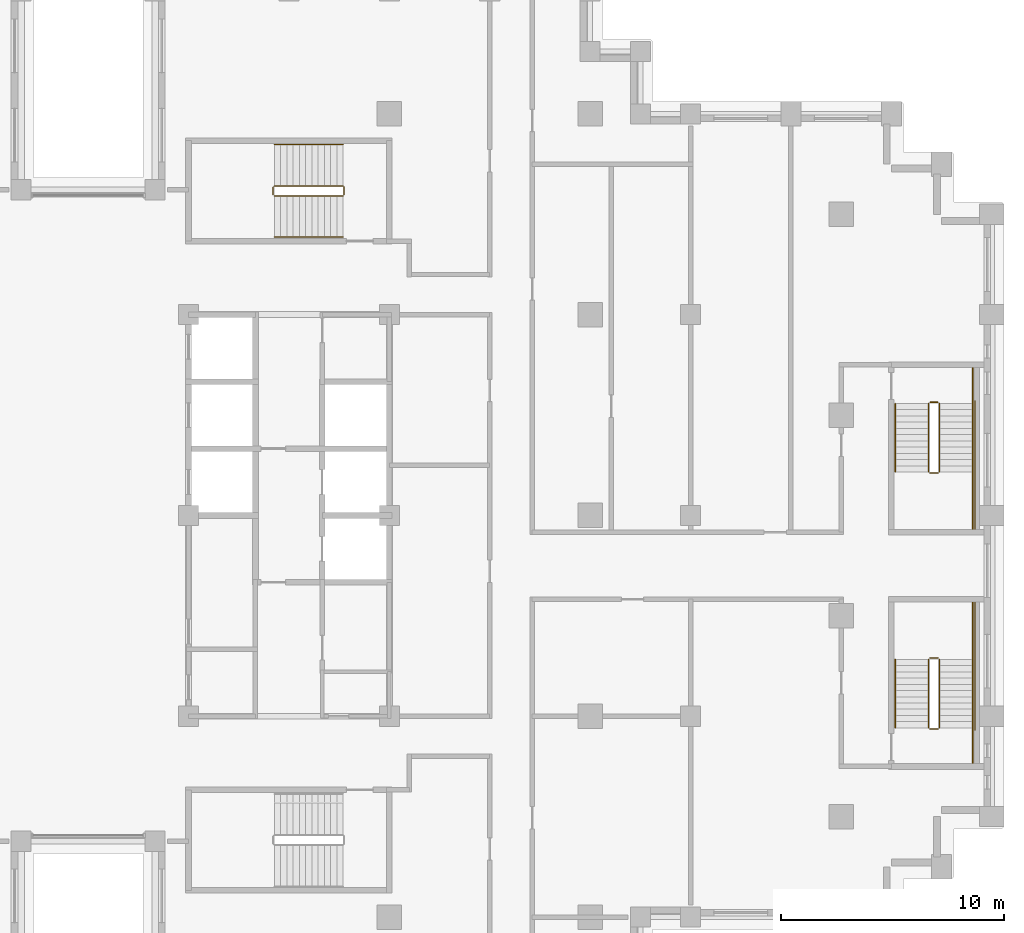
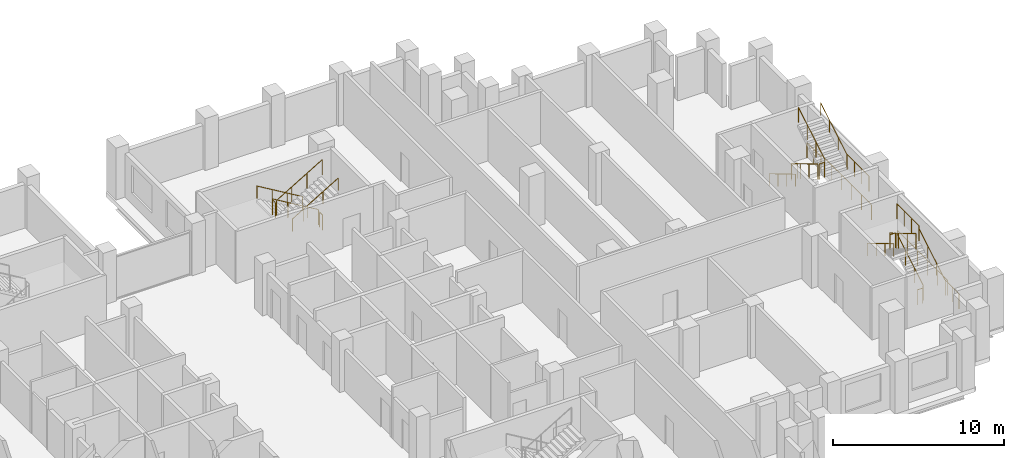
# One storey, part 16 of 16: 3 railings.
"""IFC4 building model written with IfcOpenShell, lengths in metres."""

from ifc_helpers import new_model, si_unit, direction, frame, origin, origin_2d, place, context, subcontext, project, spatial, circle, extrude, material, type_object, element, save


model = new_model("IFC4")

# Units and contexts
model_context = context("Model", 3, precision=1e-05, world=origin(), true_north=direction((0.0, 1.0)))
body_context = subcontext(model_context, "Body", "Model", "MODEL_VIEW")
ifc_project = project(units=[si_unit("LENGTHUNIT", "METRE"), si_unit("AREAUNIT", "SQUARE_METRE"), si_unit("VOLUMEUNIT", "CUBIC_METRE"), si_unit("PLANEANGLEUNIT", "RADIAN"), si_unit("MASSUNIT", "GRAM", prefix="KILO")], contexts=[model_context])

# Site, building, storey
site_placement = place(None, origin())
site = spatial("IfcSite", under=ifc_project, at=site_placement, CompositionType="ELEMENT")
building_placement = place(site_placement, origin())
building = spatial("IfcBuilding", under=site, at=building_placement, Name="Corbelhall Arena Tower", CompositionType="ELEMENT")
storey_placement = place(building_placement, frame((0.0, 0.0, 150.0)))
storey = spatial("IfcBuildingStorey", under=building, at=storey_placement, Name="L29", CompositionType="ELEMENT", Elevation=150.0)

# Railings
ifc_material = material(Name="Steel ASTM A500 Gr C", Category="steel")
railing_type = type_object("IfcRailingType", Name="IN-GD-1100", PredefinedType="GUARDRAIL", material=ifc_material)
railing_1_placement = place(storey_placement, frame((11.425048828125, 14.77490234375, 0.166748046875)))
element("IfcRailing", 1, at=railing_1_placement, inside=storey, type_object=railing_type, Name="L29 ST3 stair guards and handrails", PredefinedType="GUARDRAIL", context=body_context, shape_type="SweptSolid", body=[
    extrude(circle(Radius=0.02392578125, at=origin_2d()), frame((0.0, 0.0, 1.076171875), z_axis=(-0.859308565015, 0.0, 0.511457515432), x_axis=(0.0, -1.0, 0.0)), (0.0, 0.0, 1.0), 3.58447265625),
    extrude(circle(Radius=0.02392578125, at=origin_2d()), frame((-3.130126953125, -0.0498046875, 2.9091796875), z_axis=(0.0, -1.0, 0.0), x_axis=(1.0, 0.0, 0.0)), (0.0, 0.0, 1.0), 0.35009765625),
    extrude(circle(Radius=0.02392578125, at=origin_2d()), frame((-3.080078125, -0.449951171875, 3.076171875), z_axis=(0.859308565015, 0.0, 0.511457515432), x_axis=(0.0, 1.0, 0.0)), (0.0, 0.0, 1.0), 3.58447265625),
    extrude(circle(Radius=0.02392578125, at=origin_2d()), frame((0.050048828125, -0.0498046875, 0.9091796875), z_axis=(0.0, -1.0, 0.0), x_axis=(1.0, 0.0, 0.0)), (0.0, 0.0, 1.0), 0.35009765625),
    extrude(circle(Radius=0.02392578125, at=origin_2d()), frame((0.0, 1.85009765625, 0.8759765625), z_axis=(-0.859308565015, 0.0, 0.511457515432), x_axis=(0.0, -1.0, 0.0)), (0.0, 0.0, 1.0), 3.58447265625),
    extrude(circle(Radius=0.02392578125, at=origin_2d()), frame((-3.080078125, -2.2998046875, 2.8759765625), z_axis=(0.859308565015, 0.0, 0.511457515432), x_axis=(0.0, 1.0, 0.0)), (0.0, 0.0, 1.0), 3.58447265625),
    extrude(circle(Radius=0.02099609375, at=origin_2d()), origin(), (0.0, 0.0, 1.0), 1.052001953125),
    extrude(circle(Radius=0.02099609375, at=origin_2d()), frame((-1.026611328125, 0.0, 0.611083984375)), (0.0, 0.0, 1.0), 1.052001953125),
    extrude(circle(Radius=0.02099609375, at=origin_2d()), frame((-2.053466796875, 0.0, 1.22216796875)), (0.0, 0.0, 1.0), 1.052001953125),
    extrude(circle(Radius=0.02099609375, at=origin_2d()), frame((-3.080078125, 0.0, 1.833251953125)), (0.0, 0.0, 1.0), 1.052001953125),
    extrude(circle(Radius=0.02099609375, at=origin_2d()), frame((-3.130126953125, -0.0498046875, 1.833251953125)), (0.0, 0.0, 1.0), 1.052001953125),
    extrude(circle(Radius=0.02099609375, at=origin_2d()), frame((-3.130126953125, -0.39990234375, 1.833251953125)), (0.0, 0.0, 1.0), 1.052001953125),
    extrude(circle(Radius=0.02099609375, at=origin_2d()), frame((-3.080078125, -0.449951171875, 2.0)), (0.0, 0.0, 1.0), 1.052001953125),
    extrude(circle(Radius=0.02099609375, at=origin_2d()), frame((-2.053466796875, -0.449951171875, 2.611083984375)), (0.0, 0.0, 1.0), 1.052001953125),
    extrude(circle(Radius=0.02099609375, at=origin_2d()), frame((-1.026611328125, -0.449951171875, 3.22216796875)), (0.0, 0.0, 1.0), 1.052001953125),
    extrude(circle(Radius=0.02099609375, at=origin_2d()), frame((0.0, -0.449951171875, 3.833251953125)), (0.0, 0.0, 1.0), 1.052001953125),
    extrude(circle(Radius=0.02099609375, at=origin_2d()), frame((0.050048828125, -0.0498046875, -0.166748046875)), (0.0, 0.0, 1.0), 1.052001953125),
    extrude(circle(Radius=0.02099609375, at=origin_2d()), frame((0.050048828125, -0.39990234375, -0.166748046875)), (0.0, 0.0, 1.0), 1.052001953125),
    extrude(circle(Radius=0.02099609375, at=origin_2d()), frame((0.0, 1.85009765625, 0.0)), (0.0, 0.0, 1.0), 0.851806640625),
    extrude(circle(Radius=0.02099609375, at=origin_2d()), frame((-1.026611328125, 1.85009765625, 0.611083984375)), (0.0, 0.0, 1.0), 0.851806640625),
    extrude(circle(Radius=0.02099609375, at=origin_2d()), frame((-2.053466796875, 1.85009765625, 1.22216796875)), (0.0, 0.0, 1.0), 0.851806640625),
    extrude(circle(Radius=0.02099609375, at=origin_2d()), frame((-3.080078125, 1.85009765625, 1.833251953125)), (0.0, 0.0, 1.0), 0.851806640625),
    extrude(circle(Radius=0.02099609375, at=origin_2d()), frame((-3.080078125, -2.2998046875, 2.0)), (0.0, 0.0, 1.0), 0.851806640625),
    extrude(circle(Radius=0.02099609375, at=origin_2d()), frame((-2.053466796875, -2.2998046875, 2.611083984375)), (0.0, 0.0, 1.0), 0.851806640625),
    extrude(circle(Radius=0.02099609375, at=origin_2d()), frame((-1.026611328125, -2.2998046875, 3.22216796875)), (0.0, 0.0, 1.0), 0.851806640625),
    extrude(circle(Radius=0.02099609375, at=origin_2d()), frame((0.0, -2.2998046875, 3.833251953125)), (0.0, 0.0, 1.0), 0.851806640625),
])
railing_2_placement = place(storey_placement, frame((38.14990234375, -9.52490234375, 0.166748046875)))
element("IfcRailing", 2, at=railing_2_placement, inside=storey, type_object=railing_type, Name="L29 SD1 stair guards and handrails", PredefinedType="GUARDRAIL", context=body_context, shape_type="SweptSolid", body=[
    extrude(circle(Radius=0.02392578125, at=origin_2d()), frame((0.0, 0.0, 1.076171875), z_axis=(0.0, 0.859290745958, 0.51148745235), x_axis=(-1.0, 0.0, 0.0)), (0.0, 0.0, 1.0), 3.584228515625),
    extrude(circle(Radius=0.02392578125, at=origin_2d()), frame((-0.0498046875, 3.1298828125, 2.9091796875), z_axis=(-1.0, 0.0, 0.0), x_axis=(0.0, -1.0, 0.0)), (0.0, 0.0, 1.0), 0.375),
    extrude(circle(Radius=0.02392578125, at=origin_2d()), frame((1.5, 3.079833984375, 2.9091796875), z_axis=(0.0, 1.0, 0.0), x_axis=(-1.0, 0.0, 0.0)), (0.0, 0.0, 1.0), 2.570068359375),
    extrude(circle(Radius=0.02392578125, at=origin_2d()), frame((-0.474853515625, 3.079833984375, 3.076171875), z_axis=(0.0, -0.859290745958, 0.51148745235), x_axis=(1.0, 0.0, 0.0)), (0.0, 0.0, 1.0), 3.584228515625),
    extrude(circle(Radius=0.02392578125, at=origin_2d()), frame((-0.0498046875, -0.050048828125, 0.9091796875), z_axis=(-1.0, 0.0, 0.0), x_axis=(0.0, -1.0, 0.0)), (0.0, 0.0, 1.0), 0.375),
    extrude(circle(Radius=0.02392578125, at=origin_2d()), frame((1.5, -1.60009765625, 0.9091796875), z_axis=(0.0, 1.0, 0.0), x_axis=(-1.0, 0.0, 0.0)), (0.0, 0.0, 1.0), 1.60009765625),
    extrude(circle(Radius=0.02392578125, at=origin_2d()), frame((1.60009765625, -0.10009765625, 0.9091796875), z_axis=(0.0, 1.0, 0.0), x_axis=(-1.0, 0.0, 0.0)), (0.0, 0.0, 1.0), 5.85009765625),
    extrude(circle(Radius=0.02392578125, at=origin_2d()), frame((1.5, 0.0, 0.8759765625), z_axis=(0.0, 0.859290745958, 0.51148745235), x_axis=(-1.0, 0.0, 0.0)), (0.0, 0.0, 1.0), 3.584228515625),
    extrude(circle(Radius=0.02392578125, at=origin_2d()), frame((-1.974853515625, 3.079833984375, 2.8759765625), z_axis=(0.0, -0.859290745958, 0.51148745235), x_axis=(1.0, 0.0, 0.0)), (0.0, 0.0, 1.0), 3.584228515625),
    extrude(circle(Radius=0.02099609375, at=origin_2d()), origin(), (0.0, 0.0, 1.0), 1.052001953125),
    extrude(circle(Radius=0.02099609375, at=origin_2d()), frame((0.0, 1.026611328125, 0.611083984375)), (0.0, 0.0, 1.0), 1.052001953125),
    extrude(circle(Radius=0.02099609375, at=origin_2d()), frame((0.0, 2.05322265625, 1.22216796875)), (0.0, 0.0, 1.0), 1.052001953125),
    extrude(circle(Radius=0.02099609375, at=origin_2d()), frame((0.0, 3.079833984375, 1.833251953125)), (0.0, 0.0, 1.0), 1.052001953125),
    extrude(circle(Radius=0.02099609375, at=origin_2d()), frame((-0.0498046875, 3.1298828125, 1.833251953125)), (0.0, 0.0, 1.0), 1.052001953125),
    extrude(circle(Radius=0.02099609375, at=origin_2d()), frame((-0.4248046875, 3.1298828125, 1.833251953125)), (0.0, 0.0, 1.0), 1.052001953125),
    extrude(circle(Radius=0.02099609375, at=origin_2d()), frame((1.5, 3.079833984375, 1.833251953125)), (0.0, 0.0, 1.0), 1.052001953125),
    extrude(circle(Radius=0.02099609375, at=origin_2d()), frame((1.5, 3.9365234375, 1.833251953125)), (0.0, 0.0, 1.0), 1.052001953125),
    extrude(circle(Radius=0.02099609375, at=origin_2d()), frame((1.5, 4.793212890625, 1.833251953125)), (0.0, 0.0, 1.0), 1.052001953125),
    extrude(circle(Radius=0.02099609375, at=origin_2d()), frame((1.5, 5.64990234375, 1.833251953125)), (0.0, 0.0, 1.0), 1.052001953125),
    extrude(circle(Radius=0.02099609375, at=origin_2d()), frame((-0.474853515625, 3.079833984375, 2.0)), (0.0, 0.0, 1.0), 1.052001953125),
    extrude(circle(Radius=0.02099609375, at=origin_2d()), frame((-0.474853515625, 2.05322265625, 2.611083984375)), (0.0, 0.0, 1.0), 1.052001953125),
    extrude(circle(Radius=0.02099609375, at=origin_2d()), frame((-0.474853515625, 1.026611328125, 3.22216796875)), (0.0, 0.0, 1.0), 1.052001953125),
    extrude(circle(Radius=0.02099609375, at=origin_2d()), frame((-0.474853515625, 0.0, 3.833251953125)), (0.0, 0.0, 1.0), 1.052001953125),
    extrude(circle(Radius=0.02099609375, at=origin_2d()), frame((-0.0498046875, -0.050048828125, -0.166748046875)), (0.0, 0.0, 1.0), 1.052001953125),
    extrude(circle(Radius=0.02099609375, at=origin_2d()), frame((-0.4248046875, -0.050048828125, -0.166748046875)), (0.0, 0.0, 1.0), 1.052001953125),
    extrude(circle(Radius=0.02099609375, at=origin_2d()), frame((1.5, -1.60009765625, -0.166748046875)), (0.0, 0.0, 1.0), 1.052001953125),
    extrude(circle(Radius=0.02099609375, at=origin_2d()), frame((1.5, -0.800048828125, -0.166748046875)), (0.0, 0.0, 1.0), 1.052001953125),
    extrude(circle(Radius=0.02099609375, at=origin_2d()), frame((1.5, 0.0, -0.166748046875)), (0.0, 0.0, 1.0), 1.052001953125),
    extrude(circle(Radius=0.02099609375, at=origin_2d()), frame((1.60009765625, -0.10009765625, -0.166748046875)), (0.0, 0.0, 1.0), 1.052001953125),
    extrude(circle(Radius=0.02099609375, at=origin_2d()), frame((1.60009765625, 1.06982421875, -0.166748046875)), (0.0, 0.0, 1.0), 1.052001953125),
    extrude(circle(Radius=0.02099609375, at=origin_2d()), frame((1.60009765625, 2.239990234375, -0.166748046875)), (0.0, 0.0, 1.0), 1.052001953125),
    extrude(circle(Radius=0.02099609375, at=origin_2d()), frame((1.60009765625, 3.409912109375, -0.166748046875)), (0.0, 0.0, 1.0), 1.052001953125),
    extrude(circle(Radius=0.02099609375, at=origin_2d()), frame((1.60009765625, 4.580078125, -0.166748046875)), (0.0, 0.0, 1.0), 1.052001953125),
    extrude(circle(Radius=0.02099609375, at=origin_2d()), frame((1.60009765625, 5.75, -0.166748046875)), (0.0, 0.0, 1.0), 1.052001953125),
    extrude(circle(Radius=0.02099609375, at=origin_2d()), frame((1.5, 0.0, 0.0)), (0.0, 0.0, 1.0), 0.851806640625),
    extrude(circle(Radius=0.02099609375, at=origin_2d()), frame((1.5, 1.026611328125, 0.611083984375)), (0.0, 0.0, 1.0), 0.851806640625),
    extrude(circle(Radius=0.02099609375, at=origin_2d()), frame((1.5, 2.05322265625, 1.22216796875)), (0.0, 0.0, 1.0), 0.851806640625),
    extrude(circle(Radius=0.02099609375, at=origin_2d()), frame((-1.974853515625, 3.079833984375, 2.0)), (0.0, 0.0, 1.0), 0.851806640625),
    extrude(circle(Radius=0.02099609375, at=origin_2d()), frame((-1.974853515625, 2.05322265625, 2.611083984375)), (0.0, 0.0, 1.0), 0.851806640625),
    extrude(circle(Radius=0.02099609375, at=origin_2d()), frame((-1.974853515625, 1.026611328125, 3.22216796875)), (0.0, 0.0, 1.0), 0.851806640625),
    extrude(circle(Radius=0.02099609375, at=origin_2d()), frame((-1.974853515625, 0.0, 3.833251953125)), (0.0, 0.0, 1.0), 0.851806640625),
])
railing_3_placement = place(storey_placement, frame((37.675048828125, 5.02490234375, 0.166748046875)))
element("IfcRailing", 3, at=railing_3_placement, inside=storey, type_object=railing_type, Name="L29 SD2 stair guards and handrails", PredefinedType="GUARDRAIL", context=body_context, shape_type="SweptSolid", body=[
    extrude(circle(Radius=0.02392578125, at=origin_2d()), frame((0.0, 0.0, 1.076171875), z_axis=(0.0, -0.859290745958, 0.51148745235), x_axis=(1.0, 0.0, 0.0)), (0.0, 0.0, 1.0), 3.584228515625),
    extrude(circle(Radius=0.02392578125, at=origin_2d()), frame((0.050048828125, -3.1298828125, 2.9091796875), z_axis=(1.0, 0.0, 0.0), x_axis=(0.0, 1.0, 0.0)), (0.0, 0.0, 1.0), 0.375),
    extrude(circle(Radius=0.02392578125, at=origin_2d()), frame((1.974853515625, -3.079833984375, 2.9091796875), z_axis=(0.0, -1.0, 0.0), x_axis=(1.0, 0.0, 0.0)), (0.0, 0.0, 1.0), 2.570068359375),
    extrude(circle(Radius=0.02392578125, at=origin_2d()), frame((0.474853515625, -3.079833984375, 3.076171875), z_axis=(0.0, 0.859290745958, 0.51148745235), x_axis=(-1.0, 0.0, 0.0)), (0.0, 0.0, 1.0), 3.584228515625),
    extrude(circle(Radius=0.02392578125, at=origin_2d()), frame((0.050048828125, 0.050048828125, 0.9091796875), z_axis=(1.0, 0.0, 0.0), x_axis=(0.0, 1.0, 0.0)), (0.0, 0.0, 1.0), 0.375),
    extrude(circle(Radius=0.02392578125, at=origin_2d()), frame((1.974853515625, 1.60009765625, 0.9091796875), z_axis=(0.0, -1.0, 0.0), x_axis=(1.0, 0.0, 0.0)), (0.0, 0.0, 1.0), 1.60009765625),
    extrude(circle(Radius=0.02392578125, at=origin_2d()), frame((2.074951171875, 0.10009765625, 0.9091796875), z_axis=(0.0, -1.0, 0.0), x_axis=(1.0, 0.0, 0.0)), (0.0, 0.0, 1.0), 5.85009765625),
    extrude(circle(Radius=0.02392578125, at=origin_2d()), frame((-1.5, 0.0, 0.8759765625), z_axis=(0.0, -0.859290745958, 0.51148745235), x_axis=(1.0, 0.0, 0.0)), (0.0, 0.0, 1.0), 3.584228515625),
    extrude(circle(Radius=0.02392578125, at=origin_2d()), frame((1.974853515625, -3.079833984375, 2.8759765625), z_axis=(0.0, 0.859290745958, 0.51148745235), x_axis=(-1.0, 0.0, 0.0)), (0.0, 0.0, 1.0), 3.584228515625),
    extrude(circle(Radius=0.02099609375, at=origin_2d()), origin(), (0.0, 0.0, 1.0), 1.052001953125),
    extrude(circle(Radius=0.02099609375, at=origin_2d()), frame((0.0, -1.026611328125, 0.611083984375)), (0.0, 0.0, 1.0), 1.052001953125),
    extrude(circle(Radius=0.02099609375, at=origin_2d()), frame((0.0, -2.05322265625, 1.22216796875)), (0.0, 0.0, 1.0), 1.052001953125),
    extrude(circle(Radius=0.02099609375, at=origin_2d()), frame((0.0, -3.079833984375, 1.833251953125)), (0.0, 0.0, 1.0), 1.052001953125),
    extrude(circle(Radius=0.02099609375, at=origin_2d()), frame((0.050048828125, -3.1298828125, 1.833251953125)), (0.0, 0.0, 1.0), 1.052001953125),
    extrude(circle(Radius=0.02099609375, at=origin_2d()), frame((0.425048828125, -3.1298828125, 1.833251953125)), (0.0, 0.0, 1.0), 1.052001953125),
    extrude(circle(Radius=0.02099609375, at=origin_2d()), frame((1.974853515625, -3.079833984375, 1.833251953125)), (0.0, 0.0, 1.0), 1.052001953125),
    extrude(circle(Radius=0.02099609375, at=origin_2d()), frame((1.974853515625, -3.9365234375, 1.833251953125)), (0.0, 0.0, 1.0), 1.052001953125),
    extrude(circle(Radius=0.02099609375, at=origin_2d()), frame((1.974853515625, -4.793212890625, 1.833251953125)), (0.0, 0.0, 1.0), 1.052001953125),
    extrude(circle(Radius=0.02099609375, at=origin_2d()), frame((1.974853515625, -5.64990234375, 1.833251953125)), (0.0, 0.0, 1.0), 1.052001953125),
    extrude(circle(Radius=0.02099609375, at=origin_2d()), frame((0.474853515625, -3.079833984375, 2.0)), (0.0, 0.0, 1.0), 1.052001953125),
    extrude(circle(Radius=0.02099609375, at=origin_2d()), frame((0.474853515625, -2.05322265625, 2.611083984375)), (0.0, 0.0, 1.0), 1.052001953125),
    extrude(circle(Radius=0.02099609375, at=origin_2d()), frame((0.474853515625, -1.026611328125, 3.22216796875)), (0.0, 0.0, 1.0), 1.052001953125),
    extrude(circle(Radius=0.02099609375, at=origin_2d()), frame((0.474853515625, 0.0, 3.833251953125)), (0.0, 0.0, 1.0), 1.052001953125),
    extrude(circle(Radius=0.02099609375, at=origin_2d()), frame((0.050048828125, 0.050048828125, -0.166748046875)), (0.0, 0.0, 1.0), 1.052001953125),
    extrude(circle(Radius=0.02099609375, at=origin_2d()), frame((0.425048828125, 0.050048828125, -0.166748046875)), (0.0, 0.0, 1.0), 1.052001953125),
    extrude(circle(Radius=0.02099609375, at=origin_2d()), frame((1.974853515625, 1.60009765625, -0.166748046875)), (0.0, 0.0, 1.0), 1.052001953125),
    extrude(circle(Radius=0.02099609375, at=origin_2d()), frame((1.974853515625, 0.800048828125, -0.166748046875)), (0.0, 0.0, 1.0), 1.052001953125),
    extrude(circle(Radius=0.02099609375, at=origin_2d()), frame((1.974853515625, 0.0, -0.166748046875)), (0.0, 0.0, 1.0), 1.052001953125),
    extrude(circle(Radius=0.02099609375, at=origin_2d()), frame((2.074951171875, 0.10009765625, -0.166748046875)), (0.0, 0.0, 1.0), 1.052001953125),
    extrude(circle(Radius=0.02099609375, at=origin_2d()), frame((2.074951171875, -1.06982421875, -0.166748046875)), (0.0, 0.0, 1.0), 1.052001953125),
    extrude(circle(Radius=0.02099609375, at=origin_2d()), frame((2.074951171875, -2.239990234375, -0.166748046875)), (0.0, 0.0, 1.0), 1.052001953125),
    extrude(circle(Radius=0.02099609375, at=origin_2d()), frame((2.074951171875, -3.409912109375, -0.166748046875)), (0.0, 0.0, 1.0), 1.052001953125),
    extrude(circle(Radius=0.02099609375, at=origin_2d()), frame((2.074951171875, -4.580078125, -0.166748046875)), (0.0, 0.0, 1.0), 1.052001953125),
    extrude(circle(Radius=0.02099609375, at=origin_2d()), frame((2.074951171875, -5.75, -0.166748046875)), (0.0, 0.0, 1.0), 1.052001953125),
    extrude(circle(Radius=0.02099609375, at=origin_2d()), frame((-1.5, 0.0, 0.0)), (0.0, 0.0, 1.0), 0.851806640625),
    extrude(circle(Radius=0.02099609375, at=origin_2d()), frame((-1.5, -1.026611328125, 0.611083984375)), (0.0, 0.0, 1.0), 0.851806640625),
    extrude(circle(Radius=0.02099609375, at=origin_2d()), frame((-1.5, -2.05322265625, 1.22216796875)), (0.0, 0.0, 1.0), 0.851806640625),
    extrude(circle(Radius=0.02099609375, at=origin_2d()), frame((-1.5, -3.079833984375, 1.833251953125)), (0.0, 0.0, 1.0), 0.851806640625),
    extrude(circle(Radius=0.02099609375, at=origin_2d()), frame((1.974853515625, -3.079833984375, 2.0)), (0.0, 0.0, 1.0), 0.851806640625),
    extrude(circle(Radius=0.02099609375, at=origin_2d()), frame((1.974853515625, -2.05322265625, 2.611083984375)), (0.0, 0.0, 1.0), 0.851806640625),
    extrude(circle(Radius=0.02099609375, at=origin_2d()), frame((1.974853515625, -1.026611328125, 3.22216796875)), (0.0, 0.0, 1.0), 0.851806640625),
    extrude(circle(Radius=0.02099609375, at=origin_2d()), frame((1.974853515625, 0.0, 3.833251953125)), (0.0, 0.0, 1.0), 0.851806640625),
])

save(model, "model.ifc")
